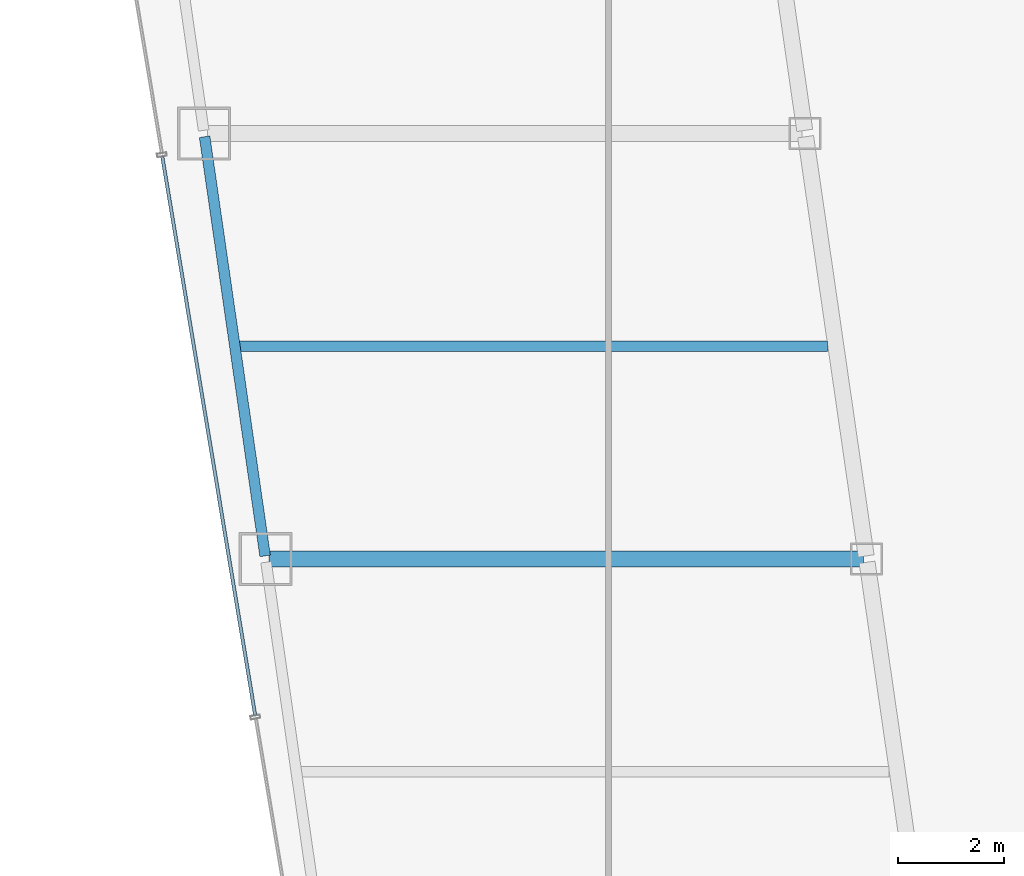
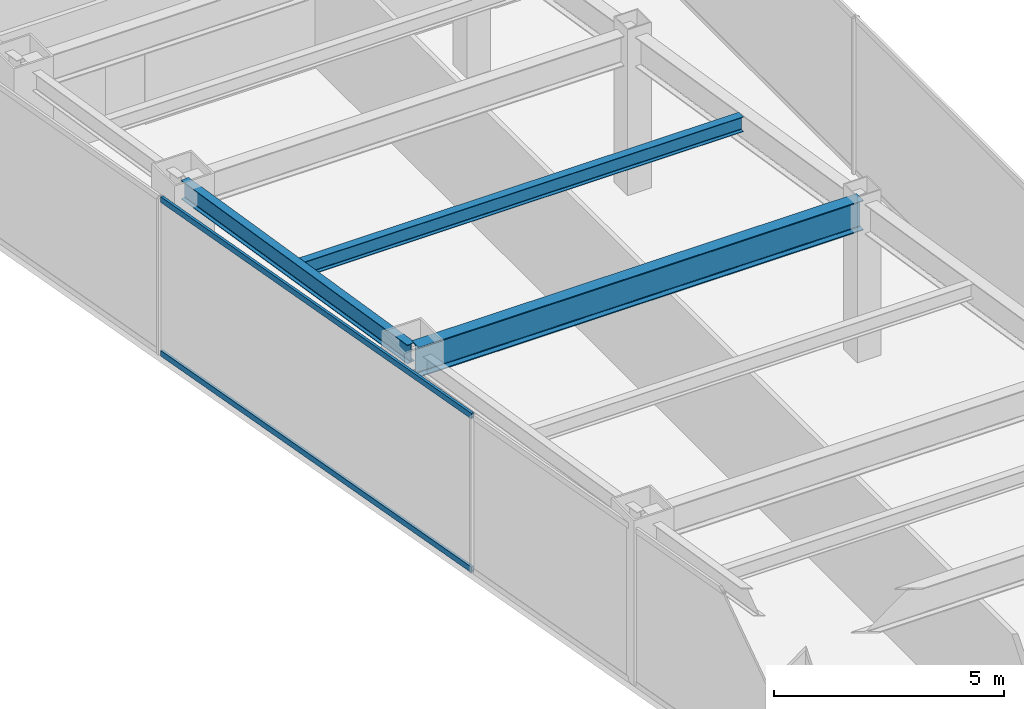
# One storey, part 8 of 37: 3 beams, 2 members, 1 element without a shape of its own.
"""IFC4 building model written with IfcOpenShell, lengths in metres."""

from ifc_helpers import new_model, si_unit, direction, frame, origin, origin_2d, place, context, subcontext, project, spatial, hollow_rectangle, i_section, extrude, material, material_profile, profile_set, type_object, element, aggregate, save


model = new_model("IFC4")

# Units and contexts
model_context = context("Model", 3, precision=1e-05, world=origin(), true_north=direction((0.0, 1.0)))
body_context = subcontext(model_context, "Body", "Model", "MODEL_VIEW")
ifc_project = project(units=[si_unit("LENGTHUNIT", "METRE"), si_unit("AREAUNIT", "SQUARE_METRE"), si_unit("VOLUMEUNIT", "CUBIC_METRE"), si_unit("PLANEANGLEUNIT", "RADIAN"), si_unit("MASSUNIT", "GRAM", prefix="KILO")], contexts=[model_context])

# Site, building, storey
site_placement = place(None, origin())
site = spatial("IfcSite", under=ifc_project, at=site_placement, CompositionType="ELEMENT")
building_placement = place(site_placement, origin())
building = spatial("IfcBuilding", under=site, at=building_placement, Name="Saevonmaru Cultural Tower", CompositionType="ELEMENT")
storey_placement = place(building_placement, frame((0.0, 0.0, 106.0)))
storey = spatial("IfcBuildingStorey", under=building, at=storey_placement, Name="L22", CompositionType="ELEMENT", Elevation=106.0)

# Beams
ifc_material_1 = material(Name="Steel SM420", Category="steel")
ifc_material_profile_1 = material_profile(ifc_material_1, i_section(OverallWidth=0.300048828125, OverallDepth=0.800048828125, WebThickness=0.013916015625, FlangeThickness=0.02587890625, FilletRadius=0.028076171875, at=origin_2d()), Name="H-800x300x14x26")
ifc_profile_set_1 = profile_set([ifc_material_profile_1], Name="Steel SM420")
beam_type_1 = type_object("IfcBeamType", Name="BM-G-H800", PredefinedType="BEAM", material=ifc_profile_set_1)
beam_1_placement = place(storey_placement, frame((9.531982421875, 24.0, 3.75), z_axis=(1.0, 0.0, 0.0), x_axis=(0.0, 1.0, 0.0)))
element("IfcBeam", 1, at=beam_1_placement, inside=storey, type_object=beam_type_1, Name="L22 West Wing Transverse Girder 3", PredefinedType="BEAM", context=body_context, shape_type="SweptSolid", body=[
    extrude(i_section(OverallWidth=0.300048828125, OverallDepth=0.800048828125, WebThickness=0.013916015625, FlangeThickness=0.02587890625, FilletRadius=0.028076171875, at=origin_2d()), origin(), (0.0, 0.0, 1.0), 11.179931640625),
])
ifc_material_2 = material(Name="Steel SM355", Category="steel")
ifc_material_profile_2 = material_profile(ifc_material_2, i_section(OverallWidth=0.199951171875, OverallDepth=0.39990234375, WebThickness=0.008056640625, FlangeThickness=0.012939453125, FilletRadius=0.01611328125, at=origin_2d()), Name="H-400x200x8x13")
ifc_profile_set_2 = profile_set([ifc_material_profile_2], Name="Steel SM355")
beam_type_2 = type_object("IfcBeamType", Name="BM-J-H400", PredefinedType="JOIST", material=ifc_profile_set_2)
beam_2_placement = place(storey_placement, frame((8.95458984375, 28.0, 3.949951171875), z_axis=(1.0, 0.0, 0.0), x_axis=(0.0, 1.0, 0.0)))
element("IfcBeam", 2, at=beam_2_placement, inside=storey, type_object=beam_type_2, Name="L22 West Wing Floor Joist 3", PredefinedType="JOIST", context=body_context, shape_type="SweptSolid", body=[
    extrude(i_section(OverallWidth=0.199951171875, OverallDepth=0.39990234375, WebThickness=0.008056640625, FlangeThickness=0.012939453125, FilletRadius=0.01611328125, at=origin_2d()), origin(), (0.0, 0.0, 1.0), 11.08203125),
])
ifc_material_profile_3 = material_profile(ifc_material_2, i_section(OverallWidth=0.199951171875, OverallDepth=0.5, WebThickness=0.010009765625, FlangeThickness=0.01611328125, FilletRadius=0.02001953125, at=origin_2d()), Name="H-500x200x10x16")
ifc_profile_set_3 = profile_set([ifc_material_profile_3], Name="Steel SM355")
beam_type_3 = type_object("IfcBeamType", Name="BM-SP-H500", PredefinedType="SPANDREL", material=ifc_profile_set_3)
beam_3_placement = place(storey_placement, frame((9.46337890625, 24.059326171875, 3.89990234375), z_axis=(-0.142871999001, 0.989741174197, 0.0), x_axis=(-0.989741174197, -0.142871999001, 0.0)))
element("IfcBeam", 3, at=beam_3_placement, inside=storey, type_object=beam_type_3, Name="L22 West Splayed Spandrel 3", PredefinedType="SPANDREL", context=body_context, shape_type="SweptSolid", body=[
    extrude(i_section(OverallWidth=0.199951171875, OverallDepth=0.5, WebThickness=0.010009765625, FlangeThickness=0.01611328125, FilletRadius=0.02001953125, at=origin_2d()), origin(), (0.0, 0.0, 1.0), 7.963134765625),
])

# Curtain wall, members
ifc_material_3 = material(Name="Satin Bronze Anodised Aluminium", Category="aluminium")
curtain_wall_type = type_object("IfcCurtainWallType", Name="CW-TYP-A", PredefinedType="NOTDEFINED", material=ifc_material_3)
curtain_wall_placement = place(storey_placement, origin())
curtain_wall = element("IfcCurtainWall", 4, at=curtain_wall_placement, inside=storey, type_object=curtain_wall_type, Name="L22 Unitised Curtain Wall E12", PredefinedType="NOTDEFINED")
ifc_material_profile_4 = material_profile(ifc_material_3, hollow_rectangle(XDim=0.06494140625, YDim=0.14990234375, WallThickness=0.00390625, at=origin_2d()), Name="ALU-TRAN-150x65x4")
ifc_profile_set_4 = profile_set([ifc_material_profile_4], Name="Satin Bronze Anodised Aluminium")
member_type = type_object("IfcMemberType", Name="TR-CW-150x65", PredefinedType="USERDEFINED", material=ifc_profile_set_4)
member_1_placement = place(storey_placement, frame((7.52978515625, 31.56787109375, 0.032470703125), z_axis=(0.163993787386, -0.98646137162, 0.0), x_axis=(0.98646137162, 0.163993787386, 0.0)))
member_1 = element("IfcMember", 5, at=member_1_placement, type_object=member_type, Name="CW-TW-L22-E12 transom 3.1", ObjectType="TRANSOM", PredefinedType="USERDEFINED", context=body_context, shape_type="SweptSolid", body=[
    extrude(hollow_rectangle(XDim=0.06494140625, YDim=0.14990234375, WallThickness=0.00390625, at=origin_2d()), origin(), (0.0, 0.0, 1.0), 10.650390625),
])
member_2_placement = place(storey_placement, frame((7.52978515625, 31.56787109375, 4.117431640625), z_axis=(0.163993787386, -0.98646137162, 0.0), x_axis=(0.98646137162, 0.163993787386, 0.0)))
member_2 = element("IfcMember", 6, at=member_2_placement, type_object=member_type, Name="CW-TW-L22-E12 transom 3.2", ObjectType="TRANSOM", PredefinedType="USERDEFINED", context=body_context, shape_type="SweptSolid", body=[
    extrude(hollow_rectangle(XDim=0.06494140625, YDim=0.14990234375, WallThickness=0.00390625, at=origin_2d()), origin(), (0.0, 0.0, 1.0), 10.650390625),
])
aggregate(curtain_wall, [member_1, member_2])

save(model, "model.ifc")
